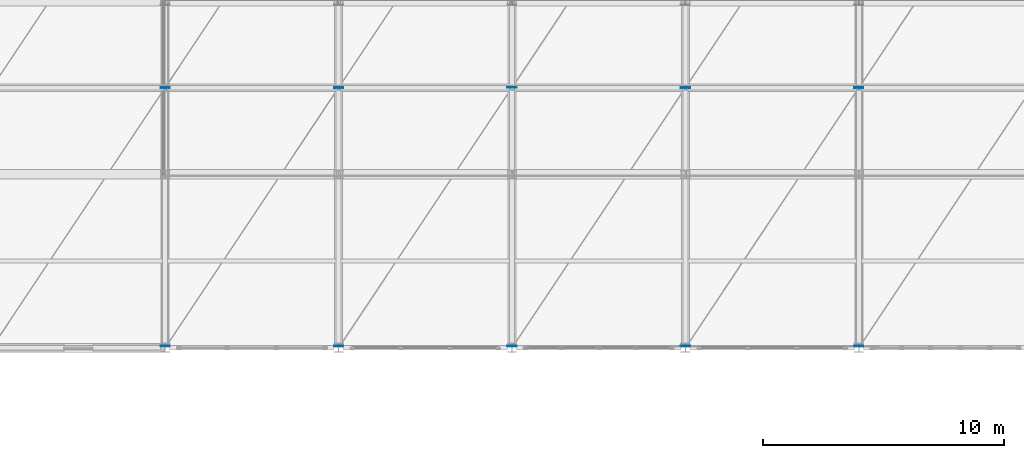
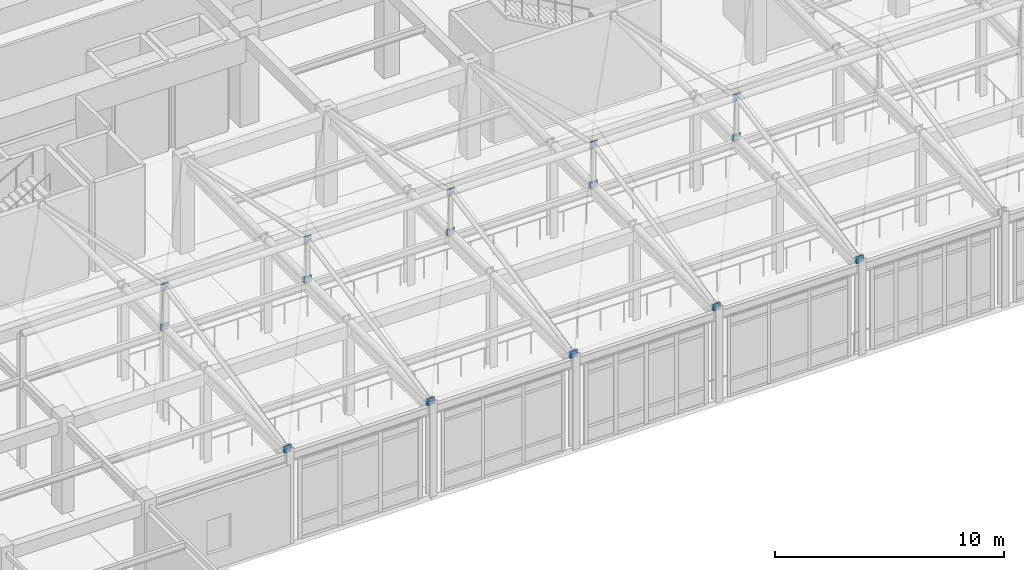
# One storey, part 82 of 117: 15 plates.
"""IFC4 building model written with IfcOpenShell, lengths in metres."""

from ifc_helpers import new_model, si_unit, direction, frame, origin, origin_2d, place, context, subcontext, project, spatial, rectangle, extrude, material, layer, layer_set, type_object, element, save


model = new_model("IFC4")

# Units and contexts
model_context = context("Model", 3, precision=1e-05, world=origin(), true_north=direction((0.0, 1.0)))
body_context = subcontext(model_context, "Body", "Model", "MODEL_VIEW")
ifc_project = project(units=[si_unit("LENGTHUNIT", "METRE"), si_unit("AREAUNIT", "SQUARE_METRE"), si_unit("VOLUMEUNIT", "CUBIC_METRE"), si_unit("PLANEANGLEUNIT", "RADIAN"), si_unit("MASSUNIT", "GRAM", prefix="KILO")], contexts=[model_context])

# Site, building, storey
site_placement = place(None, origin())
site = spatial("IfcSite", under=ifc_project, at=site_placement, CompositionType="ELEMENT")
building_placement = place(site_placement, origin())
building = spatial("IfcBuilding", under=site, at=building_placement, Name="Carrowvane Square Congress Hotel", CompositionType="ELEMENT")
storey_placement = place(building_placement, frame((0.0, 0.0, 5.39990234375)))
storey = spatial("IfcBuildingStorey", under=building, at=storey_placement, Name="L01", CompositionType="ELEMENT", Elevation=5.39990234375)

# Plates
ifc_material_1 = material(Name="Steel S355", Category="steel")
ifc_layer_1 = layer(ifc_material_1, 0.02001953125)
ifc_layer_set_1 = layer_set([ifc_layer_1], Name="Steel S355")
plate_type_1 = type_object("IfcPlateType", Name="PLT-GUS-20", PredefinedType="SHEET", material=ifc_layer_set_1)
for number, where, z_axis, x_axis, name in (
    (1, (76.39990234375, 81.0, 4.730224609375), (0.0, 0.0, 1.0), (1.0, 0.0, 0.0), "L01 brace connection end plate 237"),
    (2, (83.60009765625, 70.280029296875, 4.730224609375), (0.0, 0.0, 1.0), (1.0, 0.0, 0.0), "L01 brace connection end plate 243"),
    (3, (90.800048828125, 81.0, 6.855712890625), (0.0, 0.0, 1.0), (1.0, 0.0, 0.0), "L01 brace connection end plate 246"),
    (4, (98.0, 81.0, 4.730224609375), (0.0, 0.0, 1.0), (1.0, 0.0, 0.0), "L01 brace connection end plate 249"),
    (5, (105.199951171875, 70.280029296875, 4.730224609375), (0.0, 0.0, 1.0), (1.0, 0.0, 0.0), "L01 brace connection end plate 255"),
):
    element("IfcPlate", number, at=place(storey_placement, frame(where, z_axis=z_axis, x_axis=x_axis)), inside=storey, type_object=plate_type_1, Name=name, PredefinedType="SHEET", context=body_context, shape_type="SweptSolid", body=[
        extrude(rectangle(XDim=0.3798828125, YDim=0.02001953125, at=origin_2d()), origin(), (0.0, 0.0, 1.0), 0.3798828125),
    ])
ifc_material_2 = material(Name="Steel S355", Category="steel")
ifc_layer_2 = layer(ifc_material_2, 0.030029296875)
ifc_layer_set_2 = layer_set([ifc_layer_2], Name="Steel S355")
plate_type_2 = type_object("IfcPlateType", Name="PLT-GUS-30", PredefinedType="USERDEFINED", material=ifc_layer_set_2)
for number, where, z_axis, x_axis, name in (
    (6, (76.39990234375, 81.0, 6.855712890625), (0.0, 0.0, 1.0), (1.0, 0.0, 0.0), "L01 brace connection end plate 238"),
    (7, (83.60009765625, 81.0, 4.730224609375), (0.0, 0.0, 1.0), (1.0, 0.0, 0.0), "L01 brace connection end plate 241"),
    (8, (90.800048828125, 70.280029296875, 4.730224609375), (0.0, 0.0, 1.0), (1.0, 0.0, 0.0), "L01 brace connection end plate 247"),
    (9, (98.0, 81.0, 6.855712890625), (0.0, 0.0, 1.0), (1.0, 0.0, 0.0), "L01 brace connection end plate 250"),
    (10, (105.199951171875, 81.0, 4.730224609375), (0.0, 0.0, 1.0), (1.0, 0.0, 0.0), "L01 brace connection end plate 253"),
):
    element("IfcPlate", number, at=place(storey_placement, frame(where, z_axis=z_axis, x_axis=x_axis)), inside=storey, type_object=plate_type_2, Name=name, ObjectType="GUSSET PLATE", PredefinedType="USERDEFINED", context=body_context, shape_type="SweptSolid", body=[
        extrude(rectangle(XDim=0.3798828125, YDim=0.030029296875, at=origin_2d()), origin(), (0.0, 0.0, 1.0), 0.3798828125),
    ])
ifc_material_3 = material(Name="Steel S355", Category="steel")
ifc_layer_3 = layer(ifc_material_3, 0.01611328125)
ifc_layer_set_3 = layer_set([ifc_layer_3], Name="Steel S355")
plate_type_3 = type_object("IfcPlateType", Name="PLT-STF-16", PredefinedType="USERDEFINED", material=ifc_layer_set_3)
for number, where, z_axis, x_axis, name in (
    (11, (76.39990234375, 70.280029296875, 4.730224609375), (0.0, 0.0, 1.0), (1.0, 0.0, 0.0), "L01 brace connection end plate 239"),
    (12, (83.60009765625, 81.0, 6.855712890625), (0.0, 0.0, 1.0), (1.0, 0.0, 0.0), "L01 brace connection end plate 242"),
    (13, (90.800048828125, 81.0, 4.730224609375), (0.0, 0.0, 1.0), (1.0, 0.0, 0.0), "L01 brace connection end plate 245"),
    (14, (98.0, 70.280029296875, 4.730224609375), (0.0, 0.0, 1.0), (1.0, 0.0, 0.0), "L01 brace connection end plate 251"),
    (15, (105.199951171875, 81.0, 6.855712890625), (0.0, 0.0, 1.0), (1.0, 0.0, 0.0), "L01 brace connection end plate 254"),
):
    element("IfcPlate", number, at=place(storey_placement, frame(where, z_axis=z_axis, x_axis=x_axis)), inside=storey, type_object=plate_type_3, Name=name, ObjectType="STIFFENER PLATE", PredefinedType="USERDEFINED", context=body_context, shape_type="SweptSolid", body=[
        extrude(rectangle(XDim=0.3798828125, YDim=0.01611328125, at=origin_2d()), origin(), (0.0, 0.0, 1.0), 0.3798828125),
    ])

save(model, "model.ifc")
